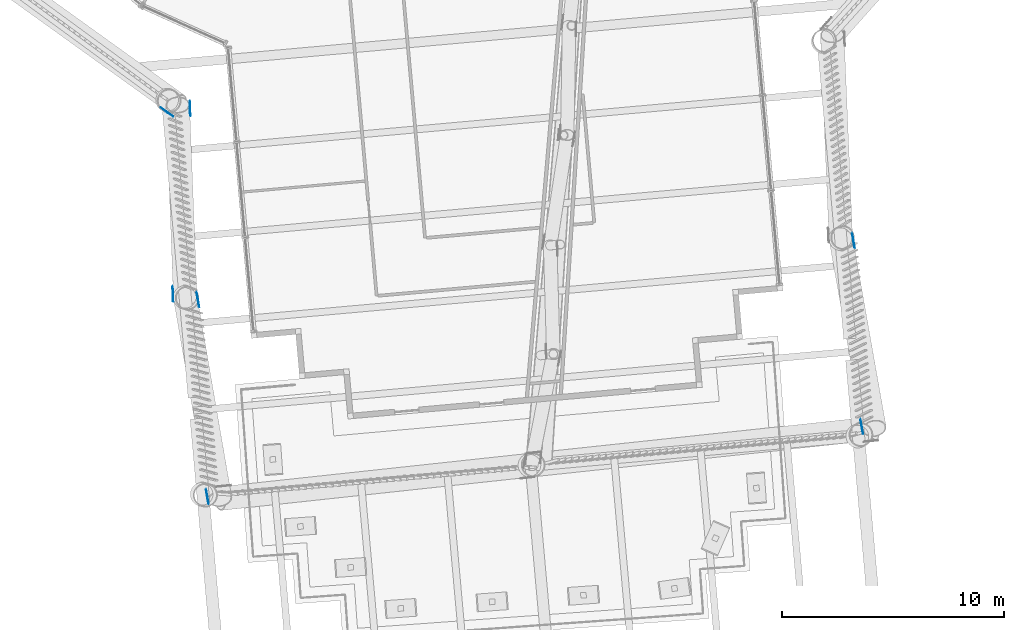
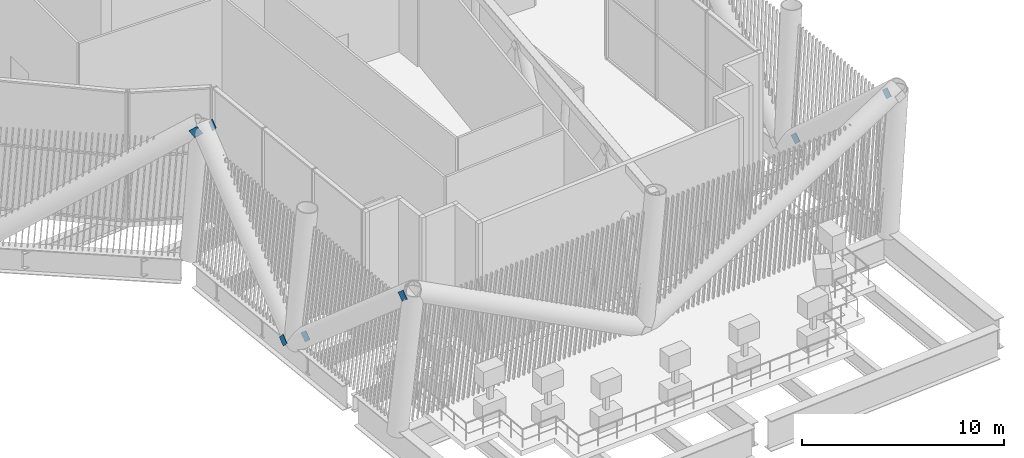
# One storey, part 33 of 55: 7 discrete accessories.
"""IFC4 building model written with IfcOpenShell, lengths in metres."""

from ifc_helpers import new_model, si_unit, direction, frame, origin, origin_2d, place, context, subcontext, project, spatial, rectangle, extrude, material, material_profile, profile_set, type_object, element, save


model = new_model("IFC4")

# Units and contexts
model_context = context("Model", 3, precision=1e-05, world=origin(), true_north=direction((0.0, 1.0)))
body_context = subcontext(model_context, "Body", "Model", "MODEL_VIEW")
ifc_project = project(units=[si_unit("LENGTHUNIT", "METRE"), si_unit("AREAUNIT", "SQUARE_METRE"), si_unit("VOLUMEUNIT", "CUBIC_METRE"), si_unit("PLANEANGLEUNIT", "RADIAN"), si_unit("MASSUNIT", "GRAM", prefix="KILO")], contexts=[model_context])

# Site, building, storey
site_placement = place(None, origin())
site = spatial("IfcSite", under=ifc_project, at=site_placement, CompositionType="ELEMENT")
building_placement = place(site_placement, origin())
building = spatial("IfcBuilding", under=site, at=building_placement, Name="Tarsis Ring Headquarters", CompositionType="ELEMENT")
storey_placement = place(building_placement, frame((0.0, 0.0, 247.199951171875)))
storey = spatial("IfcBuildingStorey", under=building, at=storey_placement, Name="L58", CompositionType="ELEMENT", Elevation=247.199951171875)

# Discrete accessories
ifc_material = material(Name="Structural steel S355", Category="steel")
ifc_material_profile = material_profile(ifc_material, rectangle(XDim=0.02490234375, YDim=0.5, at=origin_2d()), Name="PL 25x500")
ifc_profile_set = profile_set([ifc_material_profile], Name="Structural steel S355")
discrete_accessory_type = type_object("IfcDiscreteAccessoryType", Name="Gusset plate Belt truss 25", PredefinedType="BRACKET", material=ifc_profile_set)
discrete_accessory_1_placement = place(storey_placement, frame((-12.369384765625, -26.874267578125, 8.0), z_axis=(-0.662319980654, 0.475737213243, -0.578797328227), x_axis=(-0.583389185508, -0.812192746971, 0.0)))
element("IfcDiscreteAccessory", 1, at=discrete_accessory_1_placement, inside=storey, type_object=discrete_accessory_type, Name="Gusset plate GP4", PredefinedType="BRACKET", context=body_context, shape_type="SweptSolid", body=[
    extrude(rectangle(XDim=0.02490234375, YDim=0.5, at=origin_2d()), origin(), (0.0, 0.0, 1.0), 0.499755859375),
])
for number, where, z_axis, x_axis, name in (
    (2, (-12.26123046875, -35.1044921875, 0.0), (-0.028807611604, 0.733861699001, 0.67868779881), (-0.999230418704, -0.039224613908, 0.0), "Gusset plate GP4"),
    (3, (-11.50537109375, -26.409912109375, 8.0), (0.028319741966, -0.733871934043, -0.678697264352), (0.999256256276, 0.038560787002, 0.0), "Gusset plate GP4"),
):
    element("IfcDiscreteAccessory", number, at=place(storey_placement, frame(where, z_axis=z_axis, x_axis=x_axis)), inside=storey, type_object=discrete_accessory_type, Name=name, PredefinedType="BRACKET", context=body_context, shape_type="SweptSolid", body=[
        extrude(rectangle(XDim=0.02490234375, YDim=0.5, at=origin_2d()), origin(), (0.0, 0.0, 1.0), 0.5),
    ])
discrete_accessory_2_placement = place(storey_placement, frame((-11.177978515625, -34.990478515625, 0.0), z_axis=(0.128458846953, -0.742912190935, 0.656947335179), x_axis=(0.985377709927, 0.170384179955, 0.0)))
element("IfcDiscreteAccessory", 4, at=discrete_accessory_2_placement, inside=storey, type_object=discrete_accessory_type, Name="Gusset plate GP4", PredefinedType="BRACKET", context=body_context, shape_type="SweptSolid", body=[
    extrude(rectangle(XDim=0.02490234375, YDim=0.5, at=origin_2d()), origin(), (0.0, 0.0, 1.0), 0.499755859375),
])
for number, where, z_axis, x_axis, name in (
    (5, (-10.690673828125, -44.226806640625, 8.0), (-0.128412243711, 0.743130931285, -0.656709003008), (-0.985396499476, -0.170275479213, 0.0), "Gusset plate GP4"),
    (6, (18.303466796875, -32.346435546875, 0.0), (0.128410162068, -0.723588821997, 0.678181426285), (0.984615892443, 0.174732779833, 0.0), "Gusset plate GP4"),
    (7, (18.740966796875, -41.073486328125, 8.0), (-0.127929916257, 0.72363410646, -0.67822386901), (-0.984729998557, -0.174088569246, 0.0), "Gusset plate GP4"),
):
    element("IfcDiscreteAccessory", number, at=place(storey_placement, frame(where, z_axis=z_axis, x_axis=x_axis)), inside=storey, type_object=discrete_accessory_type, Name=name, PredefinedType="BRACKET", context=body_context, shape_type="SweptSolid", body=[
        extrude(rectangle(XDim=0.02490234375, YDim=0.5, at=origin_2d()), origin(), (0.0, 0.0, 1.0), 0.5),
    ])

save(model, "model.ifc")
